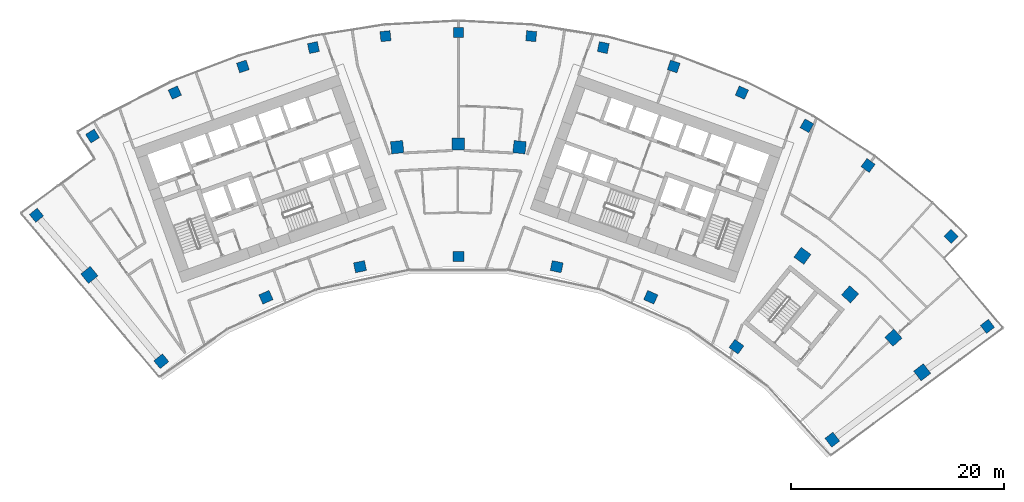
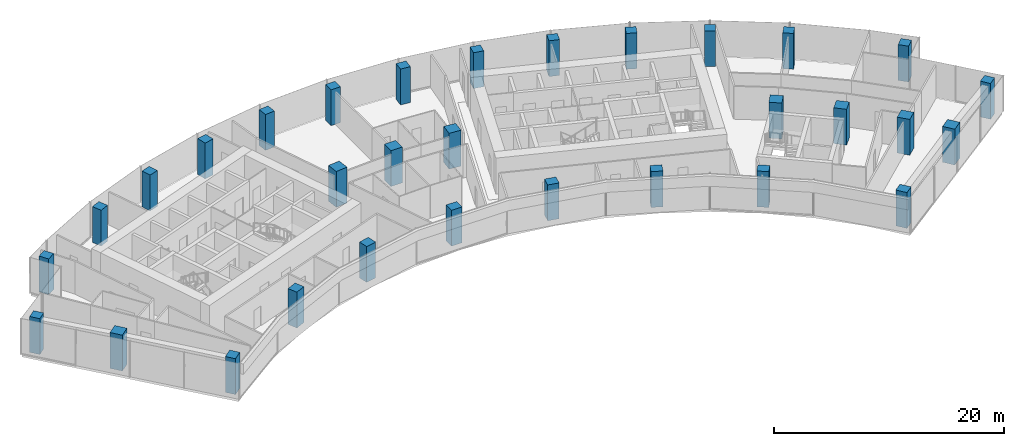
# One storey, part 1 of 16: 31 columns.
"""IFC4 building model written with IfcOpenShell, lengths in metres."""

from ifc_helpers import new_model, si_unit, direction, frame, origin, origin_2d, place, context, subcontext, project, spatial, rectangle, extrude, material, material_profile, profile_set, type_object, element, save


model = new_model("IFC4")

# Units and contexts
model_context = context("Model", 3, precision=1e-05, world=origin(), true_north=direction((0.0, 1.0)))
body_context = subcontext(model_context, "Body", "Model", "MODEL_VIEW")
ifc_project = project(units=[si_unit("LENGTHUNIT", "METRE"), si_unit("AREAUNIT", "SQUARE_METRE"), si_unit("VOLUMEUNIT", "CUBIC_METRE"), si_unit("PLANEANGLEUNIT", "RADIAN"), si_unit("MASSUNIT", "GRAM", prefix="KILO")], contexts=[model_context])

# Site, building, storey
site_placement = place(None, origin())
site = spatial("IfcSite", under=ifc_project, at=site_placement, CompositionType="ELEMENT")
building_placement = place(site_placement, origin())
building = spatial("IfcBuilding", under=site, at=building_placement, Name="Stone Belt Terrace Tower", CompositionType="ELEMENT")
storey_placement = place(building_placement, frame((0.0, 0.0, 242.800048828125)))
storey = spatial("IfcBuildingStorey", under=building, at=storey_placement, Name="L59", CompositionType="ELEMENT", Elevation=242.800048828125)

# Columns
ifc_material = material(Name="Concrete B60", Category="concrete")
ifc_material_profile_1 = material_profile(ifc_material, rectangle(XDim=1.050048828125, YDim=0.949951171875, at=origin_2d()), Name="RC 1050x950")
ifc_profile_set_1 = profile_set([ifc_material_profile_1], Name="Concrete B60")
column_type_1 = type_object("IfcColumnType", Name="Column RC 1050x950 B60", PredefinedType="COLUMN", material=ifc_profile_set_1)
for number, where, z_axis, x_axis, name in (
    (1, (-27.90771484375, 34.5908203125, 0.0), (0.0, 0.0, 1.0), (0.778283698988, 0.62791279959, 0.0), "Column L59 PA"),
    (2, (-18.077392578125, 40.6025390625, 0.0), (0.0, 0.0, 1.0), (0.913545457643, 0.406736643076, 0.0), "Column L59 P18"),
    (3, (-9.240478515625, 43.473876953125, 0.0), (0.0, 0.0, 1.0), (0.978147600734, 0.207911690818, 0.0), "Column L59 P20"),
    (4, (0.0, 44.445068359375, 0.0), (0.0, 0.0, 1.0), (1.0, 0.0, 0.0), "Column L59 P22"),
    (5, (9.240478515625, 43.473876953125, 0.0), (0.0, 0.0, 1.0), (0.978147600734, -0.207911690818, 0.0), "Column L59 P24"),
    (6, (18.077392578125, 40.6025390625, 0.0), (0.0, 0.0, 1.0), (0.913545457643, -0.406736643076, 0.0), "Column L59 P26"),
    (7, (26.1240234375, 35.956787109375, 0.0), (0.0, 0.0, 1.0), (0.809016994375, -0.587785252292, 0.0), "Column L59 P28"),
    (8, (35.133056640625, 27.221923828125, 0.0), (0.0, 0.0, 1.0), (0.612484967582, -0.790482235402, 0.0), "Column L59 PB"),
):
    element("IfcColumn", number, at=place(storey_placement, frame(where, z_axis=z_axis, x_axis=x_axis)), inside=storey, type_object=column_type_1, Name=name, PredefinedType="COLUMN", context=body_context, shape_type="SweptSolid", body=[
        extrude(rectangle(XDim=1.050048828125, YDim=0.949951171875, at=origin_2d()), origin(), (0.0, 0.0, 1.0), 3.800048828125),
    ])
ifc_material_profile_2 = material_profile(ifc_material, rectangle(XDim=1.14990234375, YDim=1.14990234375, at=origin_2d()), Name="RC 1150x1150")
ifc_profile_set_2 = profile_set([ifc_material_profile_2], Name="Concrete B60")
column_type_2 = type_object("IfcColumnType", Name="Column RC 1150x1150 B60", PredefinedType="COLUMN", material=ifc_profile_set_2)
for number, where, z_axis, x_axis, name in (
    (9, (-34.665283203125, 42.700439453125, 0.0), (0.0, 0.0, 1.0), (0.776371021586, 0.630276159189, 0.0), "Column L59 QA"),
    (10, (-5.7490234375, 54.69873046875, 0.0), (0.0, 0.0, 1.0), (0.994521895368, 0.104528463268, 0.0), "Column L59 Q21"),
    (11, (0.0, 55.0, 0.0), (0.0, 0.0, 1.0), (1.0, 0.0, 0.0), "Column L59 Q22"),
    (12, (5.7490234375, 54.69873046875, 0.0), (0.0, 0.0, 1.0), (0.994521895368, -0.104528463268, 0.0), "Column L59 Q23"),
    (13, (32.328125, 44.495849609375, 0.0), (0.0, 0.0, 1.0), (0.809016994375, -0.587785252292, 0.0), "Column L59 Q28"),
    (14, (36.80224609375, 40.873046875, 0.0), (0.0, 0.0, 1.0), (0.743144825477, -0.669130606359, 0.0), "Column L59 Q29"),
    (15, (40.873046875, 36.80224609375, 0.0), (0.0, 0.0, 1.0), (0.669130606359, -0.743144825477, 0.0), "Column L59 Q30"),
    (16, (43.57861328125, 33.55419921875, 0.0), (0.0, 0.0, 1.0), (0.610078787058, -0.792340755977, 0.0), "Column L59 QB"),
):
    element("IfcColumn", number, at=place(storey_placement, frame(where, z_axis=z_axis, x_axis=x_axis)), inside=storey, type_object=column_type_2, Name=name, PredefinedType="COLUMN", context=body_context, shape_type="SweptSolid", body=[
        extrude(rectangle(XDim=1.14990234375, YDim=1.14990234375, at=origin_2d()), origin(), (0.0, 0.0, 1.0), 3.800048828125),
    ])
ifc_material_profile_3 = material_profile(ifc_material, rectangle(XDim=0.949951171875, YDim=0.949951171875, at=origin_2d()), Name="RC 950x950")
ifc_profile_set_3 = profile_set([ifc_material_profile_3], Name="Concrete B60")
column_type_3 = type_object("IfcColumnType", Name="Column RC 950x950 B60", PredefinedType="COLUMN", material=ifc_profile_set_3)
for number, where, z_axis, x_axis, name in (
    (17, (-39.63623046875, 48.3095703125, 0.0), (0.0, 0.0, 1.0), (0.773091274525, 0.634294790499, 0.0), "Column L59 RA"),
    (18, (49.70947265625, 37.86572265625, 0.0), (0.0, 0.0, 1.0), (0.605960632634, -0.795494633356, 0.0), "Column L59 RB"),
    (19, (-34.365966796875, 55.74755859375, 0.0), (0.0, 0.0, 1.0), (0.851251028908, 0.524758692909, 0.0), "Column L59 RNA"),
    (20, (-26.63671875, 59.8271484375, 0.0), (0.0, 0.0, 1.0), (0.913545457643, 0.406736643076, 0.0), "Column L59 R18"),
    (21, (-20.2373046875, 62.28369140625, 0.0), (0.0, 0.0, 1.0), (0.951056516295, 0.309016994375, 0.0), "Column L59 R19"),
    (22, (-13.615966796875, 64.057861328125, 0.0), (0.0, 0.0, 1.0), (0.978147600734, 0.207911690818, 0.0), "Column L59 R20"),
    (23, (-6.845458984375, 65.130126953125, 0.0), (0.0, 0.0, 1.0), (0.994521895368, 0.104528463268, 0.0), "Column L59 R21"),
    (24, (0.0, 65.489013671875, 0.0), (0.0, 0.0, 1.0), (1.0, 0.0, 0.0), "Column L59 R22"),
    (25, (6.845458984375, 65.130126953125, 0.0), (0.0, 0.0, 1.0), (0.994521895368, -0.104528463268, 0.0), "Column L59 R23"),
    (26, (13.615966796875, 64.057861328125, 0.0), (0.0, 0.0, 1.0), (0.978147600734, -0.207911690818, 0.0), "Column L59 R24"),
    (27, (20.2373046875, 62.28369140625, 0.0), (0.0, 0.0, 1.0), (0.951056516295, -0.309016994375, 0.0), "Column L59 R25"),
    (28, (26.63671875, 59.8271484375, 0.0), (0.0, 0.0, 1.0), (0.913545457643, -0.406736643076, 0.0), "Column L59 R26"),
    (29, (32.744384765625, 56.715087890625, 0.0), (0.0, 0.0, 1.0), (0.866025403784, -0.5, 0.0), "Column L59 R27"),
    (30, (38.493408203125, 52.981689453125, 0.0), (0.0, 0.0, 1.0), (0.809016994375, -0.587785252292, 0.0), "Column L59 R28"),
    (31, (46.29638671875, 46.318603515625, 0.0), (0.0, 0.0, 1.0), (0.707275837349, -0.706937684596, 0.0), "Column L59 RNB"),
):
    element("IfcColumn", number, at=place(storey_placement, frame(where, z_axis=z_axis, x_axis=x_axis)), inside=storey, type_object=column_type_3, Name=name, PredefinedType="COLUMN", context=body_context, shape_type="SweptSolid", body=[
        extrude(rectangle(XDim=0.949951171875, YDim=0.949951171875, at=origin_2d()), origin(), (0.0, 0.0, 1.0), 3.800048828125),
    ])

save(model, "model.ifc")
